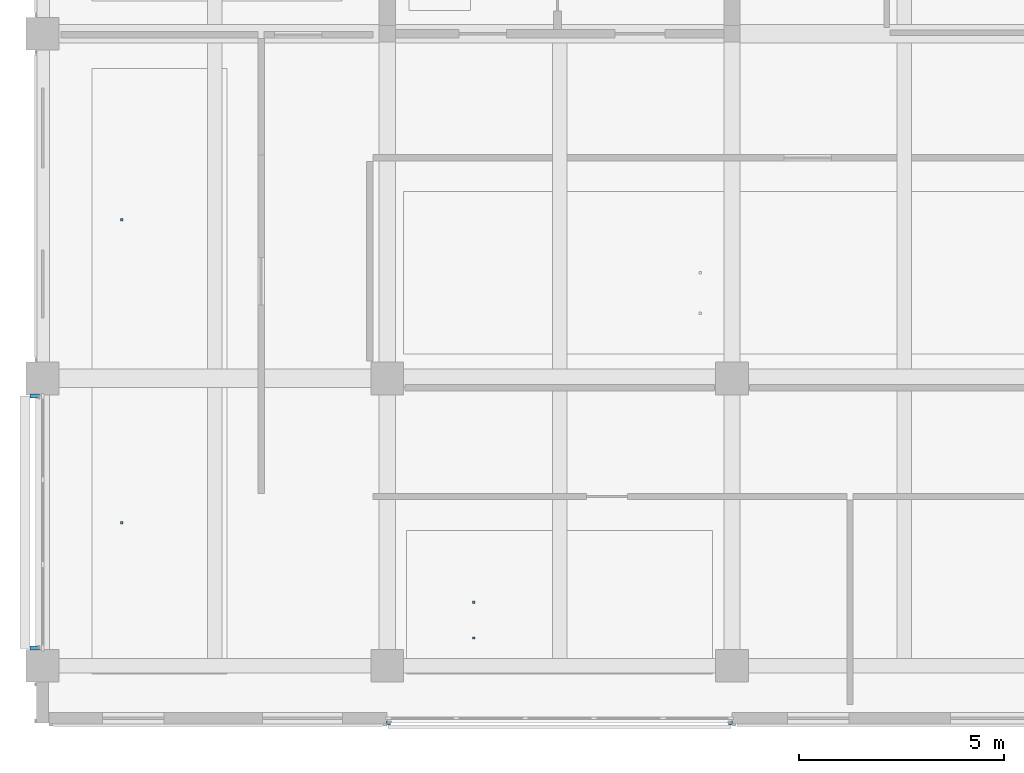
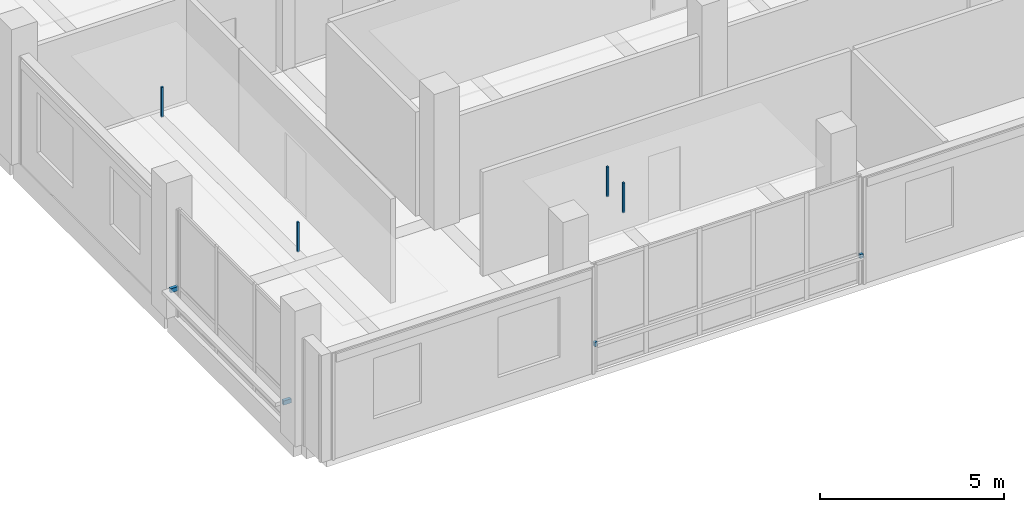
# One storey, part 15 of 34: 8 discrete accessories.
"""IFC4 building model written with IfcOpenShell, lengths in metres."""

from ifc_helpers import new_model, si_unit, direction, frame, origin, origin_2d, place, context, subcontext, project, spatial, rectangle, extrude, material, type_object, element, save


model = new_model("IFC4")

# Units and contexts
model_context = context("Model", 3, precision=1e-05, world=origin(), true_north=direction((0.0, 1.0)))
body_context = subcontext(model_context, "Body", "Model", "MODEL_VIEW")
ifc_project = project(units=[si_unit("LENGTHUNIT", "METRE"), si_unit("AREAUNIT", "SQUARE_METRE"), si_unit("VOLUMEUNIT", "CUBIC_METRE"), si_unit("PLANEANGLEUNIT", "RADIAN"), si_unit("MASSUNIT", "GRAM", prefix="KILO")], contexts=[model_context])

# Site, building, storey
site_placement = place(None, origin())
site = spatial("IfcSite", under=ifc_project, at=site_placement, CompositionType="ELEMENT")
building_placement = place(site_placement, origin())
building = spatial("IfcBuilding", under=site, at=building_placement, Name="Telukmera Botanical Conservatory", CompositionType="ELEMENT")
storey_placement = place(building_placement, frame((0.0, 0.0, 37.5)))
storey = spatial("IfcBuildingStorey", under=building, at=storey_placement, Name="L08", CompositionType="ELEMENT", Elevation=37.5)

# Discrete accessories
ifc_material = material(Name="Steel S355", Category="steel")
discrete_accessory_type_1 = type_object("IfcDiscreteAccessoryType", Name="ACC-CEIL-HGR", PredefinedType="BRACKET", material=ifc_material)
for number, where, z_axis, x_axis, name in (
    (1, (52.325927734375, 14.08740234375, 3.31982421875), (0.0, 0.0, 1.0), (1.0, 0.0, 0.0), "L08 Suspended Ceiling Hanger Rod 027-1"),
    (2, (52.325927734375, 21.46240234375, 3.31982421875), (0.0, 0.0, 1.0), (1.0, 0.0, 0.0), "L08 Suspended Ceiling Hanger Rod 027-2"),
    (3, (60.9111328125, 11.27490234375, 3.31982421875), (0.0, 0.0, 1.0), (1.0, 0.0, 0.0), "L08 Suspended Ceiling Hanger Rod 029-1"),
    (4, (60.9111328125, 12.14990234375, 3.31982421875), (0.0, 0.0, 1.0), (1.0, 0.0, 0.0), "L08 Suspended Ceiling Hanger Rod 029-2"),
):
    element("IfcDiscreteAccessory", number, at=place(storey_placement, frame(where, z_axis=z_axis, x_axis=x_axis)), inside=storey, type_object=discrete_accessory_type_1, Name=name, PredefinedType="BRACKET", context=body_context, shape_type="SweptSolid", body=[
        extrude(rectangle(XDim=0.06005859375, YDim=0.06005859375, at=origin_2d()), origin(), (0.0, 0.0, 1.0), 0.985107421875),
    ])
discrete_accessory_type_2 = type_object("IfcDiscreteAccessoryType", Name="Structural Steel Facade Outrigger Fin Bracket", PredefinedType="BRACKET", material=ifc_material)
for number, where, z_axis, x_axis, name in (
    (5, (58.83203125, 9.205078125, 0.8798828125), (0.0, 0.0, 1.0), (1.0, 0.0, 0.0), "Facade Outrigger Bracket V4:L08:S2 A"),
    (6, (67.16796875, 9.205078125, 0.8798828125), (0.0, 0.0, 1.0), (1.0, 0.0, 0.0), "Facade Outrigger Bracket V4:L08:S2 B"),
):
    element("IfcDiscreteAccessory", number, at=place(storey_placement, frame(where, z_axis=z_axis, x_axis=x_axis)), inside=storey, type_object=discrete_accessory_type_2, Name=name, PredefinedType="BRACKET", context=body_context, shape_type="SweptSolid", body=[
        extrude(rectangle(XDim=0.10009765625, YDim=0.090087890625, at=origin_2d()), origin(), (0.0, 0.0, 1.0), 0.139892578125),
    ])
for number, where, z_axis, x_axis, name in (
    (7, (50.2099609375, 11.031982421875, 0.8798828125), (0.0, 0.0, 1.0), (0.0, 1.0, 0.0), "Facade Outrigger Bracket V4:L08:W1 A"),
    (8, (50.2099609375, 17.16796875, 0.8798828125), (0.0, 0.0, 1.0), (0.0, 1.0, 0.0), "Facade Outrigger Bracket V4:L08:W1 B"),
):
    element("IfcDiscreteAccessory", number, at=place(storey_placement, frame(where, z_axis=z_axis, x_axis=x_axis)), inside=storey, type_object=discrete_accessory_type_2, Name=name, PredefinedType="BRACKET", context=body_context, shape_type="SweptSolid", body=[
        extrude(rectangle(XDim=0.10009765625, YDim=0.239990234375, at=origin_2d()), origin(), (0.0, 0.0, 1.0), 0.139892578125),
    ])

save(model, "model.ifc")
